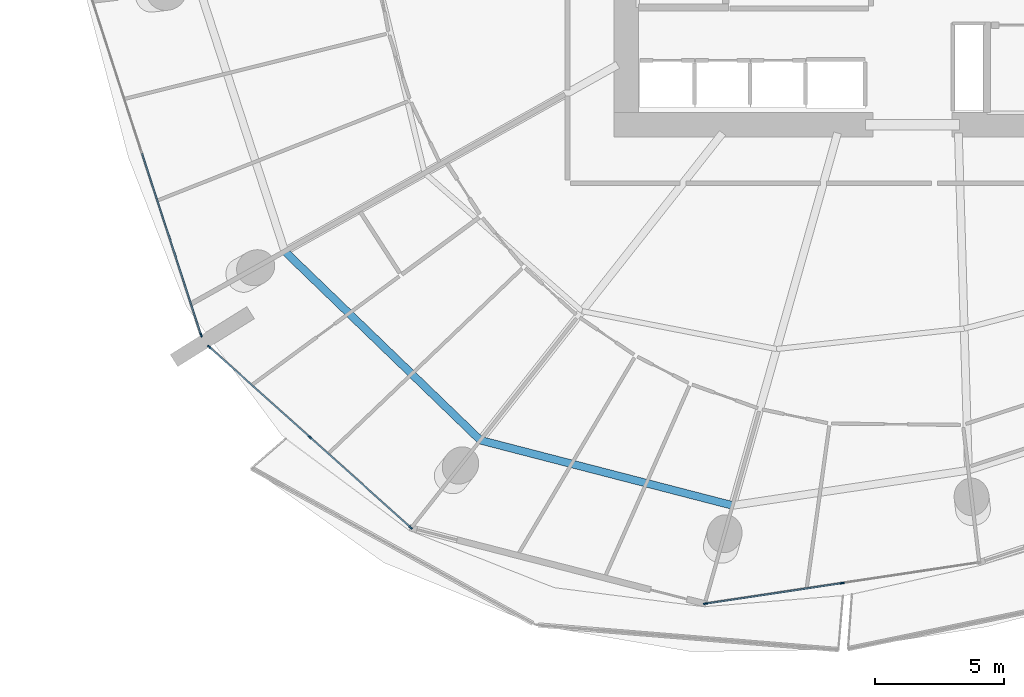
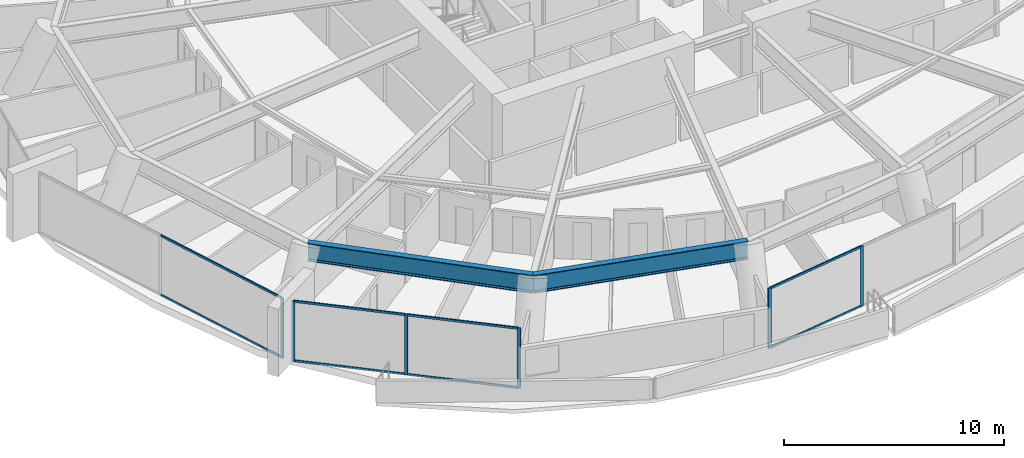
# One storey, part 6 of 31: 14 members, 2 beams, 3 elements without a shape of their own.
"""IFC4 building model written with IfcOpenShell, lengths in metres."""

from ifc_helpers import new_model, si_unit, direction, frame, origin, origin_2d, place, context, subcontext, project, spatial, rectangle, i_section, extrude, material, layer, layer_set, material_profile, profile_set, type_object, element, aggregate, save


model = new_model("IFC4")

# Units and contexts
model_context = context("Model", 3, precision=1e-05, world=origin(), true_north=direction((0.0, 1.0)))
body_context = subcontext(model_context, "Body", "Model", "MODEL_VIEW")
ifc_project = project(units=[si_unit("LENGTHUNIT", "METRE"), si_unit("AREAUNIT", "SQUARE_METRE"), si_unit("VOLUMEUNIT", "CUBIC_METRE"), si_unit("PLANEANGLEUNIT", "RADIAN"), si_unit("MASSUNIT", "GRAM", prefix="KILO")], contexts=[model_context])

# Site, building, storey
site_placement = place(None, origin())
site = spatial("IfcSite", under=ifc_project, at=site_placement, CompositionType="ELEMENT")
building_placement = place(site_placement, origin())
building = spatial("IfcBuilding", under=site, at=building_placement, Name="Kazma Halo Residences", CompositionType="ELEMENT")
storey_placement = place(building_placement, frame((0.0, 0.0, 71.39990234375)))
storey = spatial("IfcBuildingStorey", under=building, at=storey_placement, Name="L17", CompositionType="ELEMENT", Elevation=71.39990234375)

# Beams
ifc_material_1 = material(Name="Steel S355", Category="steel")
ifc_material_profile_1 = material_profile(ifc_material_1, i_section(OverallWidth=0.300048828125, OverallDepth=1.0, WebThickness=0.01904296875, FlangeThickness=0.0400390625, FilletRadius=0.02587890625, at=origin_2d()), Name="W1000x371")
ifc_profile_set_1 = profile_set([ifc_material_profile_1], Name="Steel S355")
beam_type = type_object("IfcBeamType", Name="BM-TRANS-W1000B", PredefinedType="BEAM", material=ifc_profile_set_1)
beam_1_placement = place(storey_placement, frame((24.0966796875, 28.613525390625, 2.85009765625), z_axis=(0.719336783114, -0.694661494873, 0.0), x_axis=(0.694661494873, 0.719336783114, 0.0)))
element("IfcBeam", 1, at=beam_1_placement, inside=storey, type_object=beam_type, Name="L17 perimeter ring beam 09", PredefinedType="BEAM", context=body_context, shape_type="SweptSolid", body=[
    extrude(i_section(OverallWidth=0.300048828125, OverallDepth=1.0, WebThickness=0.01904296875, FlangeThickness=0.0400390625, FilletRadius=0.02587890625, at=origin_2d()), origin(), (0.0, 0.0, 1.0), 10.537353515625),
])
beam_2_placement = place(storey_placement, frame((31.676513671875, 21.293701171875, 2.85009765625), z_axis=(0.968124968683, -0.250467652626, 0.0), x_axis=(0.250467652626, 0.968124968683, 0.0)))
element("IfcBeam", 2, at=beam_2_placement, inside=storey, type_object=beam_type, Name="L17 perimeter ring beam 10", PredefinedType="BEAM", context=body_context, shape_type="SweptSolid", body=[
    extrude(i_section(OverallWidth=0.300048828125, OverallDepth=1.0, WebThickness=0.01904296875, FlangeThickness=0.0400390625, FilletRadius=0.02587890625, at=origin_2d()), origin(), (0.0, 0.0, 1.0), 10.092529296875),
])

# Curtain wall, member
ifc_material_2 = material(Name="Aluminium AW-6063 T6 and Triple-Silver Low-E Glass", Category="aluminium")
ifc_layer = layer(ifc_material_2, 0.159912109375)
ifc_layer_set = layer_set([ifc_layer], Name="Aluminium AW-6063 T6 and Triple-Silver Low-E Glass")
curtain_wall_type = type_object("IfcCurtainWallType", Name="CW-SYS-2", PredefinedType="NOTDEFINED", material=ifc_layer_set)
curtain_wall_1_placement = place(storey_placement, origin())
curtain_wall_1 = element("IfcCurtainWall", 3, at=curtain_wall_1_placement, inside=storey, type_object=curtain_wall_type, Name="L17 unitised curtain wall B08", PredefinedType="NOTDEFINED")
ifc_material_3 = material(Name="Aluminium AW-6063 T6", Category="aluminium")
ifc_material_profile_2 = material_profile(ifc_material_3, rectangle(XDim=0.06005859375, YDim=0.159912109375, at=origin_2d()), Name="CWM-60x160")
ifc_profile_set_2 = profile_set([ifc_material_profile_2], Name="Aluminium AW-6063 T6")
member_type_1 = type_object("IfcMemberType", Name="CW-SYS-2-MUL", PredefinedType="MULLION", material=ifc_profile_set_2)
member_1_placement = place(storey_placement, frame((20.854248046875, 25.36669921875, 0.0), z_axis=(0.0, 0.0, 1.0), x_axis=(0.95105652404, 0.309016970539, 0.0)))
member_1 = element("IfcMember", 4, at=member_1_placement, type_object=member_type_1, Name="CWS-2 mullion 3", PredefinedType="MULLION", context=body_context, shape_type="SweptSolid", body=[
    extrude(rectangle(XDim=0.06005859375, YDim=0.159912109375, at=origin_2d()), origin(), (0.0, 0.0, 1.0), 3.35009765625),
])

# Curtain wall, members
curtain_wall_2_placement = place(storey_placement, origin())
curtain_wall_2 = element("IfcCurtainWall", 5, at=curtain_wall_2_placement, inside=storey, type_object=curtain_wall_type, Name="L17 unitised curtain wall B09", PredefinedType="NOTDEFINED")
member_2_placement = place(storey_placement, frame((21.17333984375, 24.908203125, 0.0), z_axis=(0.0, 0.0, 1.0), x_axis=(0.667821453854, 0.744321506993, 0.0)))
member_2 = element("IfcMember", 6, at=member_2_placement, type_object=member_type_1, Name="CWS-2 mullion 1", PredefinedType="MULLION", context=body_context, shape_type="SweptSolid", body=[
    extrude(rectangle(XDim=0.06005859375, YDim=0.159912109375, at=origin_2d()), origin(), (0.0, 0.0, 1.0), 3.35009765625),
])
member_3_placement = place(storey_placement, frame((25.07275390625, 21.409912109375, 0.0), z_axis=(0.0, 0.0, 1.0), x_axis=(0.667821453854, 0.744321506993, 0.0)))
member_3 = element("IfcMember", 7, at=member_3_placement, type_object=member_type_1, Name="CWS-2 mullion 2", PredefinedType="MULLION", context=body_context, shape_type="SweptSolid", body=[
    extrude(rectangle(XDim=0.06005859375, YDim=0.159912109375, at=origin_2d()), origin(), (0.0, 0.0, 1.0), 3.35009765625),
])
member_4_placement = place(storey_placement, frame((28.971923828125, 17.911376953125, 0.0), z_axis=(0.0, 0.0, 1.0), x_axis=(0.667821453854, 0.744321506993, 0.0)))
member_4 = element("IfcMember", 8, at=member_4_placement, type_object=member_type_1, Name="CWS-2 mullion 3", PredefinedType="MULLION", context=body_context, shape_type="SweptSolid", body=[
    extrude(rectangle(XDim=0.06005859375, YDim=0.159912109375, at=origin_2d()), origin(), (0.0, 0.0, 1.0), 3.35009765625),
])

curtain_wall_3_placement = place(storey_placement, origin())
curtain_wall_3 = element("IfcCurtainWall", 9, at=curtain_wall_3_placement, inside=storey, type_object=curtain_wall_type, Name="L17 unitised curtain wall B11", PredefinedType="NOTDEFINED")
member_5_placement = place(storey_placement, frame((40.403076171875, 14.962158203125, 0.0), z_axis=(0.0, 0.0, 1.0), x_axis=(-0.148657272805, 0.988888777994, 0.0)))
member_5 = element("IfcMember", 10, at=member_5_placement, type_object=member_type_1, Name="CWS-2 mullion 1", PredefinedType="MULLION", context=body_context, shape_type="SweptSolid", body=[
    extrude(rectangle(XDim=0.06005859375, YDim=0.159912109375, at=origin_2d()), origin(), (0.0, 0.0, 1.0), 3.35009765625),
])
member_6_placement = place(storey_placement, frame((45.6923828125, 15.75732421875, 0.0), z_axis=(0.0, 0.0, 1.0), x_axis=(-0.148657272805, 0.988888777994, 0.0)))
member_6 = element("IfcMember", 11, at=member_6_placement, type_object=member_type_1, Name="CWS-2 mullion 2", PredefinedType="MULLION", context=body_context, shape_type="SweptSolid", body=[
    extrude(rectangle(XDim=0.06005859375, YDim=0.159912109375, at=origin_2d()), origin(), (0.0, 0.0, 1.0), 3.35009765625),
])

# Member
ifc_material_profile_3 = material_profile(ifc_material_3, rectangle(XDim=0.06005859375, YDim=0.1201171875, at=origin_2d()), Name="CWT-60x120")
ifc_profile_set_3 = profile_set([ifc_material_profile_3], Name="Aluminium AW-6063 T6")
member_type_2 = type_object("IfcMemberType", Name="CW-SYS-2-TRN", PredefinedType="USERDEFINED", material=ifc_profile_set_3)
member_7_placement = place(storey_placement, frame((18.5673828125, 32.4052734375, 0.030029296875), z_axis=(0.309004433966, -0.951060597328, 0.0), x_axis=(0.951060597328, 0.309004433966, 0.0)))
member_7 = element("IfcMember", 12, at=member_7_placement, type_object=member_type_2, Name="CWS-2 transom 2.1", ObjectType="TRANSOM", PredefinedType="USERDEFINED", context=body_context, shape_type="SweptSolid", body=[
    extrude(rectangle(XDim=0.06005859375, YDim=0.1201171875, at=origin_2d()), origin(), (0.0, 0.0, 1.0), 7.370849609375),
])

member_8_placement = place(storey_placement, frame((18.5673828125, 32.4052734375, 3.320068359375), z_axis=(0.309004433966, -0.951060597328, 0.0), x_axis=(0.951060597328, 0.309004433966, 0.0)))
member_8 = element("IfcMember", 13, at=member_8_placement, type_object=member_type_2, Name="CWS-2 transom 2.2", ObjectType="TRANSOM", PredefinedType="USERDEFINED", context=body_context, shape_type="SweptSolid", body=[
    extrude(rectangle(XDim=0.06005859375, YDim=0.1201171875, at=origin_2d()), origin(), (0.0, 0.0, 1.0), 7.370849609375),
])

aggregate(curtain_wall_1, [member_1, member_7, member_8])

member_9_placement = place(storey_placement, frame((21.19580078125, 24.88818359375, 0.030029296875), z_axis=(0.744329408538, -0.66781264707, 0.0), x_axis=(0.66781264707, 0.744329408538, 0.0)))
member_9 = element("IfcMember", 14, at=member_9_placement, type_object=member_type_2, Name="CWS-2 transom 1.1", ObjectType="TRANSOM", PredefinedType="USERDEFINED", context=body_context, shape_type="SweptSolid", body=[
    extrude(rectangle(XDim=0.06005859375, YDim=0.1201171875, at=origin_2d()), origin(), (0.0, 0.0, 1.0), 5.178466796875),
])

member_10_placement = place(storey_placement, frame((21.19580078125, 24.88818359375, 3.320068359375), z_axis=(0.744329408538, -0.66781264707, 0.0), x_axis=(0.66781264707, 0.744329408538, 0.0)))
member_10 = element("IfcMember", 15, at=member_10_placement, type_object=member_type_2, Name="CWS-2 transom 1.2", ObjectType="TRANSOM", PredefinedType="USERDEFINED", context=body_context, shape_type="SweptSolid", body=[
    extrude(rectangle(XDim=0.06005859375, YDim=0.1201171875, at=origin_2d()), origin(), (0.0, 0.0, 1.0), 5.178466796875),
])

member_11_placement = place(storey_placement, frame((25.094970703125, 21.3896484375, 0.030029296875), z_axis=(0.744329408538, -0.66781264707, 0.0), x_axis=(0.66781264707, 0.744329408538, 0.0)))
member_11 = element("IfcMember", 16, at=member_11_placement, type_object=member_type_2, Name="CWS-2 transom 2.1", ObjectType="TRANSOM", PredefinedType="USERDEFINED", context=body_context, shape_type="SweptSolid", body=[
    extrude(rectangle(XDim=0.06005859375, YDim=0.1201171875, at=origin_2d()), origin(), (0.0, 0.0, 1.0), 5.178466796875),
])

member_12_placement = place(storey_placement, frame((25.094970703125, 21.3896484375, 3.320068359375), z_axis=(0.744329408538, -0.66781264707, 0.0), x_axis=(0.66781264707, 0.744329408538, 0.0)))
member_12 = element("IfcMember", 17, at=member_12_placement, type_object=member_type_2, Name="CWS-2 transom 2.2", ObjectType="TRANSOM", PredefinedType="USERDEFINED", context=body_context, shape_type="SweptSolid", body=[
    extrude(rectangle(XDim=0.06005859375, YDim=0.1201171875, at=origin_2d()), origin(), (0.0, 0.0, 1.0), 5.178466796875),
])

aggregate(curtain_wall_2, [member_2, member_3, member_4, member_9, member_10, member_11, member_12])

member_13_placement = place(storey_placement, frame((40.4326171875, 14.966796875, 0.030029296875), z_axis=(0.988890934274, 0.148642928222, 0.0), x_axis=(-0.148642928222, 0.988890934274, 0.0)))
member_13 = element("IfcMember", 18, at=member_13_placement, type_object=member_type_2, Name="CWS-2 transom 1.1", ObjectType="TRANSOM", PredefinedType="USERDEFINED", context=body_context, shape_type="SweptSolid", body=[
    extrude(rectangle(XDim=0.06005859375, YDim=0.1201171875, at=origin_2d()), origin(), (0.0, 0.0, 1.0), 5.288818359375),
])

member_14_placement = place(storey_placement, frame((40.4326171875, 14.966796875, 3.320068359375), z_axis=(0.988890934274, 0.148642928222, 0.0), x_axis=(-0.148642928222, 0.988890934274, 0.0)))
member_14 = element("IfcMember", 19, at=member_14_placement, type_object=member_type_2, Name="CWS-2 transom 1.2", ObjectType="TRANSOM", PredefinedType="USERDEFINED", context=body_context, shape_type="SweptSolid", body=[
    extrude(rectangle(XDim=0.06005859375, YDim=0.1201171875, at=origin_2d()), origin(), (0.0, 0.0, 1.0), 5.288818359375),
])

aggregate(curtain_wall_3, [member_5, member_6, member_13, member_14])

save(model, "model.ifc")
